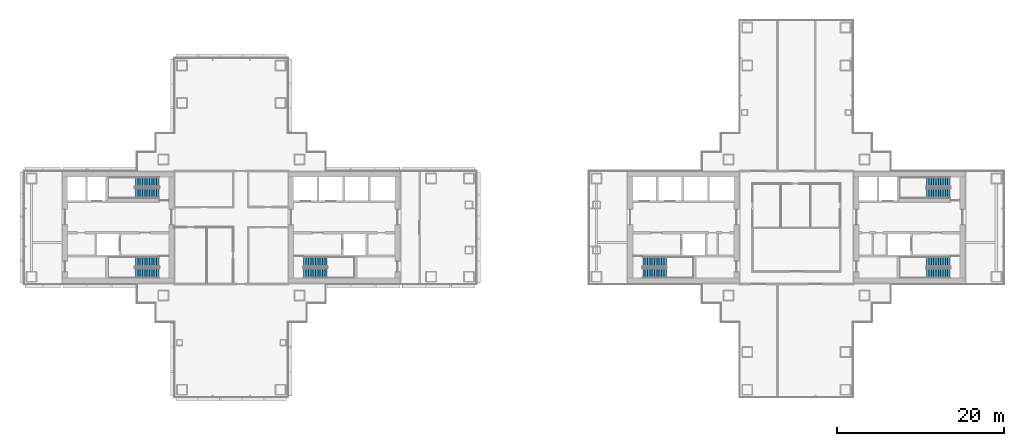
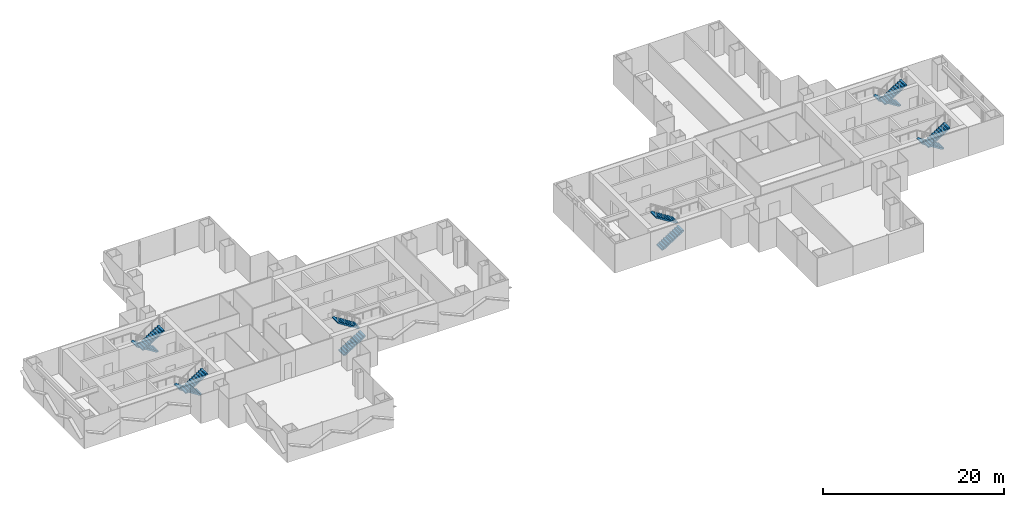
# One storey, part 15 of 18: 12 stair flights, 6 elements without a shape of their own.
"""IFC4 building model written with IfcOpenShell, lengths in metres."""

from ifc_helpers import new_model, si_unit, direction, frame, origin, place, context, subcontext, project, spatial, polyline, outline, extrude, material, type_object, element, aggregate, save


model = new_model("IFC4")

# Units and contexts
model_context = context("Model", 3, precision=1e-05, world=origin(), true_north=direction((0.0, 1.0)))
body_context = subcontext(model_context, "Body", "Model", "MODEL_VIEW")
ifc_project = project(units=[si_unit("LENGTHUNIT", "METRE"), si_unit("AREAUNIT", "SQUARE_METRE"), si_unit("VOLUMEUNIT", "CUBIC_METRE"), si_unit("PLANEANGLEUNIT", "RADIAN"), si_unit("MASSUNIT", "GRAM", prefix="KILO")], contexts=[model_context])

# Site, building, storey
site_placement = place(None, origin())
site = spatial("IfcSite", under=ifc_project, at=site_placement, CompositionType="ELEMENT")
building_placement = place(site_placement, origin())
building = spatial("IfcBuilding", under=site, at=building_placement, Name="Shamsa Quay Exchange Towers", CompositionType="ELEMENT")
storey_placement = place(building_placement, frame((0.0, 0.0, 113.10009765625)))
storey = spatial("IfcBuildingStorey", under=building, at=storey_placement, Name="L26", CompositionType="ELEMENT", Elevation=113.10009765625)

# Stair, stair flights
ifc_material = material(Name="Concrete C40/50", Category="concrete")
stair_type = type_object("IfcStairType", Name="EXIT STAIR 22 RISERS 177 MM", PredefinedType="HALF_TURN_STAIR", material=ifc_material)
stair_1_placement = place(storey_placement, origin())
stair_1 = element("IfcStair", 1, at=stair_1_placement, inside=storey, type_object=stair_type, Name="L26 Exit stair ST1", PredefinedType="HALF_TURN_STAIR")
stair_flight_type = type_object("IfcStairFlightType", Name="EXIT STAIR FLIGHT 11 RISERS 177 MM", PredefinedType="STRAIGHT", material=ifc_material)
stair_flight_1_placement = place(storey_placement, frame((-25.10009765625, -5.449951171875, 0.0)))
stair_flight_1 = element("IfcStairFlight", 2, at=stair_flight_1_placement, type_object=stair_flight_type, Name="ST1 flight 1", NumberOfRisers=11, NumberOfTreads=10, PredefinedType="STRAIGHT", RiserHeight=0.177272727, TreadLength=0.28, context=body_context, shape_type="SweptSolid", body=[
    extrude(outline(polyline([(0.0, 0.0), (0.0, 0.17724609375), (0.280029296875, 0.17724609375), (0.280029296875, 0.3544921875), (0.56005859375, 0.3544921875), (0.56005859375, 0.53173828125), (0.840087890625, 0.53173828125), (0.840087890625, 0.708984375), (1.1201171875, 0.708984375), (1.1201171875, 0.886474609375), (1.39990234375, 0.886474609375), (1.39990234375, 1.063720703125), (1.679931640625, 1.063720703125), (1.679931640625, 1.240966796875), (1.9599609375, 1.240966796875), (1.9599609375, 1.418212890625), (2.239990234375, 1.418212890625), (2.239990234375, 1.595458984375), (2.52001953125, 1.595458984375), (2.52001953125, 1.772705078125), (2.800048828125, 1.772705078125), (2.800048828125, 1.949951171875), (2.800048828125, 1.607177734375), (0.261474609375, 0.0), (0.0, 0.0)])), frame((0.0, 0.60009765625, 0.0), z_axis=(0.0, -1.0, 0.0), x_axis=(1.0, 0.0, 0.0)), (0.0, 0.0, 1.0), 1.199951171875),
])
stair_flight_2_placement = place(storey_placement, frame((-22.300048828125, -4.10009765625, 1.949951171875), z_axis=(0.0, 0.0, 1.0), x_axis=(-1.0, 0.0, 0.0)))
stair_flight_2 = element("IfcStairFlight", 3, at=stair_flight_2_placement, type_object=stair_flight_type, Name="ST1 flight 2", NumberOfRisers=11, NumberOfTreads=10, PredefinedType="STRAIGHT", RiserHeight=0.177272727, TreadLength=0.28, context=body_context, shape_type="SweptSolid", body=[
    extrude(outline(polyline([(0.0, 0.0), (0.0, 0.17724609375), (0.280029296875, 0.17724609375), (0.280029296875, 0.3544921875), (0.56005859375, 0.3544921875), (0.56005859375, 0.53173828125), (0.840087890625, 0.53173828125), (0.840087890625, 0.708984375), (1.1201171875, 0.708984375), (1.1201171875, 0.886474609375), (1.39990234375, 0.886474609375), (1.39990234375, 1.063720703125), (1.679931640625, 1.063720703125), (1.679931640625, 1.240966796875), (1.9599609375, 1.240966796875), (1.9599609375, 1.418212890625), (2.239990234375, 1.418212890625), (2.239990234375, 1.595458984375), (2.52001953125, 1.595458984375), (2.52001953125, 1.772705078125), (2.800048828125, 1.772705078125), (2.800048828125, 1.949951171875), (2.800048828125, 1.607177734375), (0.261474609375, 0.0), (0.0, 0.0)])), frame((0.0, 0.60009765625, 0.0), z_axis=(0.0, -1.0, 0.0), x_axis=(1.0, 0.0, 0.0)), (0.0, 0.0, 1.0), 1.199951171875),
])
aggregate(stair_1, [stair_flight_1, stair_flight_2])

stair_2_placement = place(storey_placement, origin())
stair_2 = element("IfcStair", 4, at=stair_2_placement, inside=storey, type_object=stair_type, Name="L26 Exit stair ST2", PredefinedType="HALF_TURN_STAIR")
stair_flight_3_placement = place(storey_placement, frame((-42.39990234375, -4.10009765625, 0.0), z_axis=(0.0, 0.0, 1.0), x_axis=(-1.0, 0.0, 0.0)))
stair_flight_3 = element("IfcStairFlight", 5, at=stair_flight_3_placement, type_object=stair_flight_type, Name="ST2 flight 1", NumberOfRisers=11, NumberOfTreads=10, PredefinedType="STRAIGHT", RiserHeight=0.177272727, TreadLength=0.28, context=body_context, shape_type="SweptSolid", body=[
    extrude(outline(polyline([(0.0, 0.0), (0.0, 0.17724609375), (0.280029296875, 0.17724609375), (0.280029296875, 0.3544921875), (0.56005859375, 0.3544921875), (0.56005859375, 0.53173828125), (0.840087890625, 0.53173828125), (0.840087890625, 0.708984375), (1.1201171875, 0.708984375), (1.1201171875, 0.886474609375), (1.39990234375, 0.886474609375), (1.39990234375, 1.063720703125), (1.679931640625, 1.063720703125), (1.679931640625, 1.240966796875), (1.9599609375, 1.240966796875), (1.9599609375, 1.418212890625), (2.239990234375, 1.418212890625), (2.239990234375, 1.595458984375), (2.52001953125, 1.595458984375), (2.52001953125, 1.772705078125), (2.800048828125, 1.772705078125), (2.800048828125, 1.949951171875), (2.800048828125, 1.607177734375), (0.261474609375, 0.0), (0.0, 0.0)])), frame((0.0, 0.60009765625, 0.0), z_axis=(0.0, -1.0, 0.0), x_axis=(1.0, 0.0, 0.0)), (0.0, 0.0, 1.0), 1.199951171875),
])
stair_flight_4_placement = place(storey_placement, frame((-45.199951171875, -5.449951171875, 1.949951171875)))
stair_flight_4 = element("IfcStairFlight", 6, at=stair_flight_4_placement, type_object=stair_flight_type, Name="ST2 flight 2", NumberOfRisers=11, NumberOfTreads=10, PredefinedType="STRAIGHT", RiserHeight=0.177272727, TreadLength=0.28, context=body_context, shape_type="SweptSolid", body=[
    extrude(outline(polyline([(0.0, 0.0), (0.0, 0.17724609375), (0.280029296875, 0.17724609375), (0.280029296875, 0.3544921875), (0.56005859375, 0.3544921875), (0.56005859375, 0.53173828125), (0.840087890625, 0.53173828125), (0.840087890625, 0.708984375), (1.1201171875, 0.708984375), (1.1201171875, 0.886474609375), (1.39990234375, 0.886474609375), (1.39990234375, 1.063720703125), (1.679931640625, 1.063720703125), (1.679931640625, 1.240966796875), (1.9599609375, 1.240966796875), (1.9599609375, 1.418212890625), (2.239990234375, 1.418212890625), (2.239990234375, 1.595458984375), (2.52001953125, 1.595458984375), (2.52001953125, 1.772705078125), (2.800048828125, 1.772705078125), (2.800048828125, 1.949951171875), (2.800048828125, 1.607177734375), (0.261474609375, 0.0), (0.0, 0.0)])), frame((0.0, 0.60009765625, 0.0), z_axis=(0.0, -1.0, 0.0), x_axis=(1.0, 0.0, 0.0)), (0.0, 0.0, 1.0), 1.199951171875),
])
aggregate(stair_2, [stair_flight_3, stair_flight_4])

stair_3_placement = place(storey_placement, origin())
stair_3 = element("IfcStair", 7, at=stair_3_placement, inside=storey, type_object=stair_type, Name="L26 Exit stair ST3", PredefinedType="HALF_TURN_STAIR")
stair_flight_5_placement = place(storey_placement, frame((-42.39990234375, 5.449951171875, 0.0), z_axis=(0.0, 0.0, 1.0), x_axis=(-1.0, 0.0, 0.0)))
stair_flight_5 = element("IfcStairFlight", 8, at=stair_flight_5_placement, type_object=stair_flight_type, Name="ST3 flight 1", NumberOfRisers=11, NumberOfTreads=10, PredefinedType="STRAIGHT", RiserHeight=0.177272727, TreadLength=0.28, context=body_context, shape_type="SweptSolid", body=[
    extrude(outline(polyline([(0.0, 0.0), (0.0, 0.17724609375), (0.280029296875, 0.17724609375), (0.280029296875, 0.3544921875), (0.56005859375, 0.3544921875), (0.56005859375, 0.53173828125), (0.840087890625, 0.53173828125), (0.840087890625, 0.708984375), (1.1201171875, 0.708984375), (1.1201171875, 0.886474609375), (1.39990234375, 0.886474609375), (1.39990234375, 1.063720703125), (1.679931640625, 1.063720703125), (1.679931640625, 1.240966796875), (1.9599609375, 1.240966796875), (1.9599609375, 1.418212890625), (2.239990234375, 1.418212890625), (2.239990234375, 1.595458984375), (2.52001953125, 1.595458984375), (2.52001953125, 1.772705078125), (2.800048828125, 1.772705078125), (2.800048828125, 1.949951171875), (2.800048828125, 1.607177734375), (0.261474609375, 0.0), (0.0, 0.0)])), frame((0.0, 0.60009765625, 0.0), z_axis=(0.0, -1.0, 0.0), x_axis=(1.0, 0.0, 0.0)), (0.0, 0.0, 1.0), 1.199951171875),
])
stair_flight_6_placement = place(storey_placement, frame((-45.199951171875, 4.10009765625, 1.949951171875)))
stair_flight_6 = element("IfcStairFlight", 9, at=stair_flight_6_placement, type_object=stair_flight_type, Name="ST3 flight 2", NumberOfRisers=11, NumberOfTreads=10, PredefinedType="STRAIGHT", RiserHeight=0.177272727, TreadLength=0.28, context=body_context, shape_type="SweptSolid", body=[
    extrude(outline(polyline([(0.0, 0.0), (0.0, 0.17724609375), (0.280029296875, 0.17724609375), (0.280029296875, 0.3544921875), (0.56005859375, 0.3544921875), (0.56005859375, 0.53173828125), (0.840087890625, 0.53173828125), (0.840087890625, 0.708984375), (1.1201171875, 0.708984375), (1.1201171875, 0.886474609375), (1.39990234375, 0.886474609375), (1.39990234375, 1.063720703125), (1.679931640625, 1.063720703125), (1.679931640625, 1.240966796875), (1.9599609375, 1.240966796875), (1.9599609375, 1.418212890625), (2.239990234375, 1.418212890625), (2.239990234375, 1.595458984375), (2.52001953125, 1.595458984375), (2.52001953125, 1.772705078125), (2.800048828125, 1.772705078125), (2.800048828125, 1.949951171875), (2.800048828125, 1.607177734375), (0.261474609375, 0.0), (0.0, 0.0)])), frame((0.0, 0.60009765625, 0.0), z_axis=(0.0, -1.0, 0.0), x_axis=(1.0, 0.0, 0.0)), (0.0, 0.0, 1.0), 1.199951171875),
])
aggregate(stair_3, [stair_flight_5, stair_flight_6])

stair_4_placement = place(storey_placement, origin())
stair_4 = element("IfcStair", 10, at=stair_4_placement, inside=storey, type_object=stair_type, Name="L26 Exit stair ST4", PredefinedType="HALF_TURN_STAIR")
stair_flight_7_placement = place(storey_placement, frame((15.39990234375, -5.449951171875, 0.0)))
stair_flight_7 = element("IfcStairFlight", 11, at=stair_flight_7_placement, type_object=stair_flight_type, Name="ST4 flight 1", NumberOfRisers=11, NumberOfTreads=10, PredefinedType="STRAIGHT", RiserHeight=0.177272727, TreadLength=0.28, context=body_context, shape_type="SweptSolid", body=[
    extrude(outline(polyline([(0.0, 0.0), (0.0, 0.17724609375), (0.280029296875, 0.17724609375), (0.280029296875, 0.3544921875), (0.56005859375, 0.3544921875), (0.56005859375, 0.53173828125), (0.840087890625, 0.53173828125), (0.840087890625, 0.708984375), (1.1201171875, 0.708984375), (1.1201171875, 0.886474609375), (1.39990234375, 0.886474609375), (1.39990234375, 1.063720703125), (1.679931640625, 1.063720703125), (1.679931640625, 1.240966796875), (1.9599609375, 1.240966796875), (1.9599609375, 1.418212890625), (2.239990234375, 1.418212890625), (2.239990234375, 1.595458984375), (2.52001953125, 1.595458984375), (2.52001953125, 1.772705078125), (2.800048828125, 1.772705078125), (2.800048828125, 1.949951171875), (2.800048828125, 1.607177734375), (0.261474609375, 0.0), (0.0, 0.0)])), frame((0.0, 0.60009765625, 0.0), z_axis=(0.0, -1.0, 0.0), x_axis=(1.0, 0.0, 0.0)), (0.0, 0.0, 1.0), 1.199951171875),
])
stair_flight_8_placement = place(storey_placement, frame((18.199951171875, -4.10009765625, 1.949951171875), z_axis=(0.0, 0.0, 1.0), x_axis=(-1.0, 0.0, 0.0)))
stair_flight_8 = element("IfcStairFlight", 12, at=stair_flight_8_placement, type_object=stair_flight_type, Name="ST4 flight 2", NumberOfRisers=11, NumberOfTreads=10, PredefinedType="STRAIGHT", RiserHeight=0.177272727, TreadLength=0.28, context=body_context, shape_type="SweptSolid", body=[
    extrude(outline(polyline([(0.0, 0.0), (0.0, 0.17724609375), (0.280029296875, 0.17724609375), (0.280029296875, 0.3544921875), (0.56005859375, 0.3544921875), (0.56005859375, 0.53173828125), (0.840087890625, 0.53173828125), (0.840087890625, 0.708984375), (1.1201171875, 0.708984375), (1.1201171875, 0.886474609375), (1.39990234375, 0.886474609375), (1.39990234375, 1.063720703125), (1.679931640625, 1.063720703125), (1.679931640625, 1.240966796875), (1.9599609375, 1.240966796875), (1.9599609375, 1.418212890625), (2.239990234375, 1.418212890625), (2.239990234375, 1.595458984375), (2.52001953125, 1.595458984375), (2.52001953125, 1.772705078125), (2.800048828125, 1.772705078125), (2.800048828125, 1.949951171875), (2.800048828125, 1.607177734375), (0.261474609375, 0.0), (0.0, 0.0)])), frame((0.0, 0.60009765625, 0.0), z_axis=(0.0, -1.0, 0.0), x_axis=(1.0, 0.0, 0.0)), (0.0, 0.0, 1.0), 1.199951171875),
])
aggregate(stair_4, [stair_flight_7, stair_flight_8])

stair_5_placement = place(storey_placement, origin())
stair_5 = element("IfcStair", 13, at=stair_5_placement, inside=storey, type_object=stair_type, Name="L26 Exit stair ST5", PredefinedType="HALF_TURN_STAIR")
stair_flight_9_placement = place(storey_placement, frame((52.10009765625, -4.10009765625, 0.0), z_axis=(0.0, 0.0, 1.0), x_axis=(-1.0, 0.0, 0.0)))
stair_flight_9 = element("IfcStairFlight", 14, at=stair_flight_9_placement, type_object=stair_flight_type, Name="ST5 flight 1", NumberOfRisers=11, NumberOfTreads=10, PredefinedType="STRAIGHT", RiserHeight=0.177272727, TreadLength=0.28, context=body_context, shape_type="SweptSolid", body=[
    extrude(outline(polyline([(0.0, 0.0), (0.0, 0.17724609375), (0.280029296875, 0.17724609375), (0.280029296875, 0.3544921875), (0.56005859375, 0.3544921875), (0.56005859375, 0.53173828125), (0.840087890625, 0.53173828125), (0.840087890625, 0.708984375), (1.1201171875, 0.708984375), (1.1201171875, 0.886474609375), (1.39990234375, 0.886474609375), (1.39990234375, 1.063720703125), (1.679931640625, 1.063720703125), (1.679931640625, 1.240966796875), (1.9599609375, 1.240966796875), (1.9599609375, 1.418212890625), (2.239990234375, 1.418212890625), (2.239990234375, 1.595458984375), (2.52001953125, 1.595458984375), (2.52001953125, 1.772705078125), (2.800048828125, 1.772705078125), (2.800048828125, 1.949951171875), (2.800048828125, 1.607177734375), (0.261474609375, 0.0), (0.0, 0.0)])), frame((0.0, 0.60009765625, 0.0), z_axis=(0.0, -1.0, 0.0), x_axis=(1.0, 0.0, 0.0)), (0.0, 0.0, 1.0), 1.199951171875),
])
stair_flight_10_placement = place(storey_placement, frame((49.300048828125, -5.449951171875, 1.949951171875)))
stair_flight_10 = element("IfcStairFlight", 15, at=stair_flight_10_placement, type_object=stair_flight_type, Name="ST5 flight 2", NumberOfRisers=11, NumberOfTreads=10, PredefinedType="STRAIGHT", RiserHeight=0.177272727, TreadLength=0.28, context=body_context, shape_type="SweptSolid", body=[
    extrude(outline(polyline([(0.0, 0.0), (0.0, 0.17724609375), (0.280029296875, 0.17724609375), (0.280029296875, 0.3544921875), (0.56005859375, 0.3544921875), (0.56005859375, 0.53173828125), (0.840087890625, 0.53173828125), (0.840087890625, 0.708984375), (1.1201171875, 0.708984375), (1.1201171875, 0.886474609375), (1.39990234375, 0.886474609375), (1.39990234375, 1.063720703125), (1.679931640625, 1.063720703125), (1.679931640625, 1.240966796875), (1.9599609375, 1.240966796875), (1.9599609375, 1.418212890625), (2.239990234375, 1.418212890625), (2.239990234375, 1.595458984375), (2.52001953125, 1.595458984375), (2.52001953125, 1.772705078125), (2.800048828125, 1.772705078125), (2.800048828125, 1.949951171875), (2.800048828125, 1.607177734375), (0.261474609375, 0.0), (0.0, 0.0)])), frame((0.0, 0.60009765625, 0.0), z_axis=(0.0, -1.0, 0.0), x_axis=(1.0, 0.0, 0.0)), (0.0, 0.0, 1.0), 1.199951171875),
])
aggregate(stair_5, [stair_flight_9, stair_flight_10])

stair_6_placement = place(storey_placement, origin())
stair_6 = element("IfcStair", 16, at=stair_6_placement, inside=storey, type_object=stair_type, Name="L26 Exit stair ST6", PredefinedType="HALF_TURN_STAIR")
stair_flight_11_placement = place(storey_placement, frame((52.10009765625, 5.449951171875, 0.0), z_axis=(0.0, 0.0, 1.0), x_axis=(-1.0, 0.0, 0.0)))
stair_flight_11 = element("IfcStairFlight", 17, at=stair_flight_11_placement, type_object=stair_flight_type, Name="ST6 flight 1", NumberOfRisers=11, NumberOfTreads=10, PredefinedType="STRAIGHT", RiserHeight=0.177272727, TreadLength=0.28, context=body_context, shape_type="SweptSolid", body=[
    extrude(outline(polyline([(0.0, 0.0), (0.0, 0.17724609375), (0.280029296875, 0.17724609375), (0.280029296875, 0.3544921875), (0.56005859375, 0.3544921875), (0.56005859375, 0.53173828125), (0.840087890625, 0.53173828125), (0.840087890625, 0.708984375), (1.1201171875, 0.708984375), (1.1201171875, 0.886474609375), (1.39990234375, 0.886474609375), (1.39990234375, 1.063720703125), (1.679931640625, 1.063720703125), (1.679931640625, 1.240966796875), (1.9599609375, 1.240966796875), (1.9599609375, 1.418212890625), (2.239990234375, 1.418212890625), (2.239990234375, 1.595458984375), (2.52001953125, 1.595458984375), (2.52001953125, 1.772705078125), (2.800048828125, 1.772705078125), (2.800048828125, 1.949951171875), (2.800048828125, 1.607177734375), (0.261474609375, 0.0), (0.0, 0.0)])), frame((0.0, 0.60009765625, 0.0), z_axis=(0.0, -1.0, 0.0), x_axis=(1.0, 0.0, 0.0)), (0.0, 0.0, 1.0), 1.199951171875),
])
stair_flight_12_placement = place(storey_placement, frame((49.300048828125, 4.10009765625, 1.949951171875)))
stair_flight_12 = element("IfcStairFlight", 18, at=stair_flight_12_placement, type_object=stair_flight_type, Name="ST6 flight 2", NumberOfRisers=11, NumberOfTreads=10, PredefinedType="STRAIGHT", RiserHeight=0.177272727, TreadLength=0.28, context=body_context, shape_type="SweptSolid", body=[
    extrude(outline(polyline([(0.0, 0.0), (0.0, 0.17724609375), (0.280029296875, 0.17724609375), (0.280029296875, 0.3544921875), (0.56005859375, 0.3544921875), (0.56005859375, 0.53173828125), (0.840087890625, 0.53173828125), (0.840087890625, 0.708984375), (1.1201171875, 0.708984375), (1.1201171875, 0.886474609375), (1.39990234375, 0.886474609375), (1.39990234375, 1.063720703125), (1.679931640625, 1.063720703125), (1.679931640625, 1.240966796875), (1.9599609375, 1.240966796875), (1.9599609375, 1.418212890625), (2.239990234375, 1.418212890625), (2.239990234375, 1.595458984375), (2.52001953125, 1.595458984375), (2.52001953125, 1.772705078125), (2.800048828125, 1.772705078125), (2.800048828125, 1.949951171875), (2.800048828125, 1.607177734375), (0.261474609375, 0.0), (0.0, 0.0)])), frame((0.0, 0.60009765625, 0.0), z_axis=(0.0, -1.0, 0.0), x_axis=(1.0, 0.0, 0.0)), (0.0, 0.0, 1.0), 1.199951171875),
])
aggregate(stair_6, [stair_flight_11, stair_flight_12])

save(model, "model.ifc")
